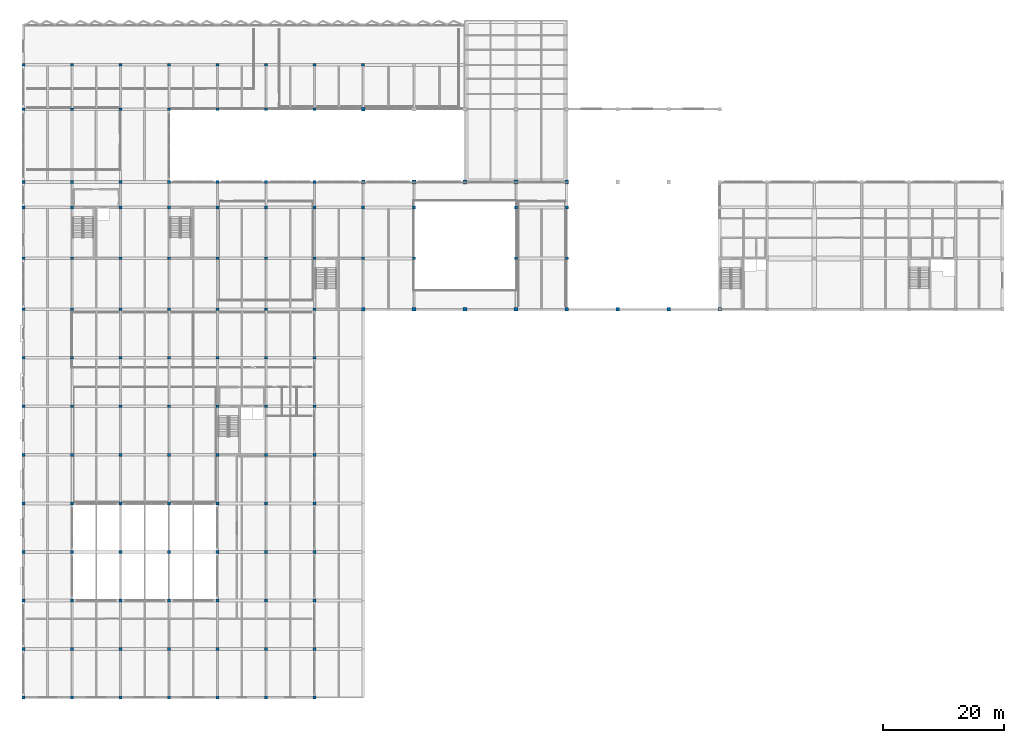
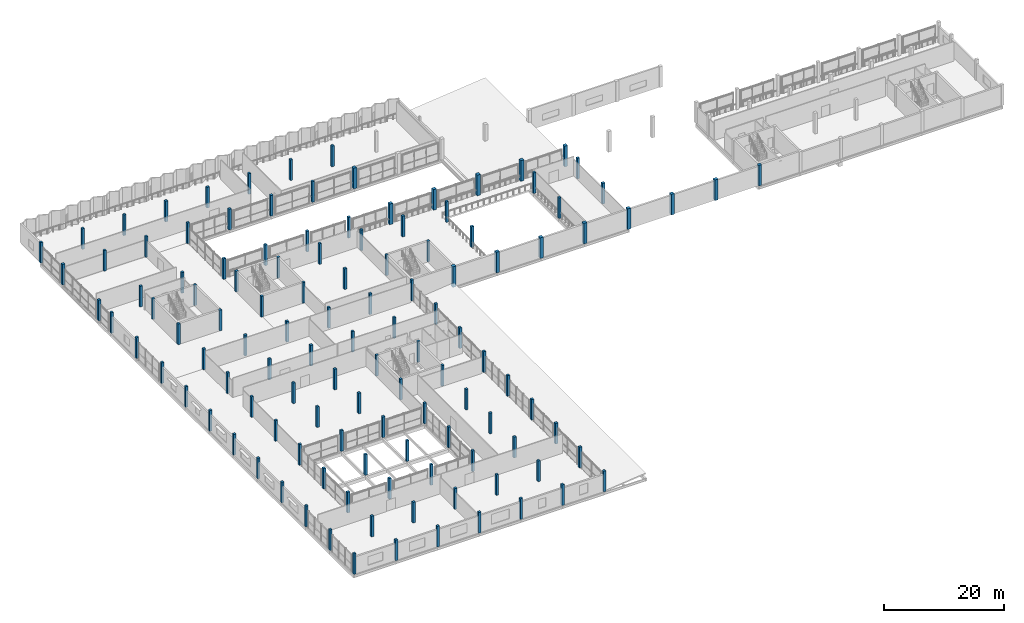
# One storey, part 1 of 53: 121 columns.
"""IFC4 building model written with IfcOpenShell, lengths in metres."""

from ifc_helpers import new_model, si_unit, direction, frame, origin, origin_2d, place, context, subcontext, project, spatial, rectangle, extrude, material, material_profile, profile_set, type_object, element, save


model = new_model("IFC4")

# Units and contexts
model_context = context("Model", 3, precision=1e-05, world=origin(), true_north=direction((0.0, 1.0)))
body_context = subcontext(model_context, "Body", "Model", "MODEL_VIEW")
ifc_project = project(units=[si_unit("LENGTHUNIT", "METRE"), si_unit("AREAUNIT", "SQUARE_METRE"), si_unit("VOLUMEUNIT", "CUBIC_METRE"), si_unit("PLANEANGLEUNIT", "RADIAN"), si_unit("MASSUNIT", "GRAM", prefix="KILO")], contexts=[model_context])

# Site, building, storey
site_placement = place(None, origin())
site = spatial("IfcSite", under=ifc_project, at=site_placement, CompositionType="ELEMENT")
building_placement = place(site_placement, origin())
building = spatial("IfcBuilding", under=site, at=building_placement, Name="Vharandega Faculty of Natural Sciences", CompositionType="ELEMENT")
storey_placement = place(building_placement, frame((0.0, 0.0, 10.199951171875)))
storey = spatial("IfcBuildingStorey", under=building, at=storey_placement, Name="L02", CompositionType="ELEMENT", Elevation=10.199951171875)

# Columns
ifc_material_1 = material(Name="Glulam GL32h", Category="wood")
ifc_material_profile_1 = material_profile(ifc_material_1, rectangle(XDim=0.449951171875, YDim=0.449951171875, at=origin_2d()), Name="GL32h 450x450")
ifc_profile_set_1 = profile_set([ifc_material_profile_1], Name="Glulam GL32h")
column_type_1 = type_object("IfcColumnType", Name="Glulam Column 450x450", PredefinedType="COLUMN", material=ifc_profile_set_1)
for number, where, z_axis, x_axis, name in (
    (1, (0.0, 0.0, 0.0), (0.0, 0.0, 1.0), (1.0, 0.0, 0.0), "Column 1/A L02"),
    (2, (0.0, 8.0, 0.0), (0.0, 0.0, 1.0), (1.0, 0.0, 0.0), "Column 1/B L02"),
    (3, (0.0, 16.0, 0.0), (0.0, 0.0, 1.0), (1.0, 0.0, 0.0), "Column 1/C L02"),
    (4, (0.0, 24.0, 0.0), (0.0, 0.0, 1.0), (1.0, 0.0, 0.0), "Column 1/D L02"),
    (5, (0.0, 32.0, 0.0), (0.0, 0.0, 1.0), (1.0, 0.0, 0.0), "Column 1/E L02"),
    (6, (0.0, 40.0, 0.0), (0.0, 0.0, 1.0), (1.0, 0.0, 0.0), "Column 1/F L02"),
    (7, (0.0, 48.0, 0.0), (0.0, 0.0, 1.0), (1.0, 0.0, 0.0), "Column 1/G L02"),
    (8, (0.0, 56.0, 0.0), (0.0, 0.0, 1.0), (1.0, 0.0, 0.0), "Column 1/H L02"),
    (9, (0.0, 64.0, 0.0), (0.0, 0.0, 1.0), (1.0, 0.0, 0.0), "Column 1/J L02"),
    (10, (0.0, 72.39990234375, 0.0), (0.0, 0.0, 1.0), (1.0, 0.0, 0.0), "Column 1/K L02"),
    (11, (0.0, 80.800048828125, 0.0), (0.0, 0.0, 1.0), (1.0, 0.0, 0.0), "Column 1/L L02"),
    (12, (0.0, 85.0, 0.0), (0.0, 0.0, 1.0), (1.0, 0.0, 0.0), "Column 1/M L02"),
    (13, (0.0, 97.0, 0.0), (0.0, 0.0, 1.0), (1.0, 0.0, 0.0), "Column 1/N L02"),
    (14, (0.0, 104.300048828125, 0.0), (0.0, 0.0, 1.0), (1.0, 0.0, 0.0), "Column 1/P L02"),
    (15, (81.199951171875, 72.39990234375, 0.0), (0.0, 0.0, 1.0), (1.0, 0.0, 0.0), "Column 11/K L02"),
    (16, (81.199951171875, 80.800048828125, 0.0), (0.0, 0.0, 1.0), (1.0, 0.0, 0.0), "Column 11/L L02"),
    (17, (89.60009765625, 72.39990234375, 0.0), (0.0, 0.0, 1.0), (1.0, 0.0, 0.0), "Column 12/K L02"),
    (18, (89.60009765625, 80.800048828125, 0.0), (0.0, 0.0, 1.0), (1.0, 0.0, 0.0), "Column 12/L L02"),
    (19, (8.0, 0.0, 0.0), (0.0, 0.0, 1.0), (1.0, 0.0, 0.0), "Column 2/A L02"),
    (20, (8.0, 8.0, 0.0), (0.0, 0.0, 1.0), (1.0, 0.0, 0.0), "Column 2/B L02"),
    (21, (8.0, 16.0, 0.0), (0.0, 0.0, 1.0), (1.0, 0.0, 0.0), "Column 2/C L02"),
    (22, (8.0, 24.0, 0.0), (0.0, 0.0, 1.0), (1.0, 0.0, 0.0), "Column 2/D L02"),
    (23, (8.0, 32.0, 0.0), (0.0, 0.0, 1.0), (1.0, 0.0, 0.0), "Column 2/E L02"),
    (24, (8.0, 40.0, 0.0), (0.0, 0.0, 1.0), (1.0, 0.0, 0.0), "Column 2/F L02"),
    (25, (8.0, 48.0, 0.0), (0.0, 0.0, 1.0), (1.0, 0.0, 0.0), "Column 2/G L02"),
    (26, (8.0, 56.0, 0.0), (0.0, 0.0, 1.0), (1.0, 0.0, 0.0), "Column 2/H L02"),
    (27, (8.0, 64.0, 0.0), (0.0, 0.0, 1.0), (1.0, 0.0, 0.0), "Column 2/J L02"),
    (28, (8.0, 72.39990234375, 0.0), (0.0, 0.0, 1.0), (1.0, 0.0, 0.0), "Column 2/K L02"),
    (29, (8.0, 80.800048828125, 0.0), (0.0, 0.0, 1.0), (1.0, 0.0, 0.0), "Column 2/L L02"),
    (30, (8.0, 85.0, 0.0), (0.0, 0.0, 1.0), (1.0, 0.0, 0.0), "Column 2/M L02"),
    (31, (8.0, 97.0, 0.0), (0.0, 0.0, 1.0), (1.0, 0.0, 0.0), "Column 2/N L02"),
    (32, (8.0, 104.300048828125, 0.0), (0.0, 0.0, 1.0), (1.0, 0.0, 0.0), "Column 2/P L02"),
    (33, (16.0, 0.0, 0.0), (0.0, 0.0, 1.0), (1.0, 0.0, 0.0), "Column 3/A L02"),
    (34, (16.0, 8.0, 0.0), (0.0, 0.0, 1.0), (1.0, 0.0, 0.0), "Column 3/B L02"),
    (35, (16.0, 16.0, 0.0), (0.0, 0.0, 1.0), (1.0, 0.0, 0.0), "Column 3/C L02"),
    (36, (16.0, 24.0, 0.0), (0.0, 0.0, 1.0), (1.0, 0.0, 0.0), "Column 3/D L02"),
    (37, (16.0, 32.0, 0.0), (0.0, 0.0, 1.0), (1.0, 0.0, 0.0), "Column 3/E L02"),
    (38, (16.0, 40.0, 0.0), (0.0, 0.0, 1.0), (1.0, 0.0, 0.0), "Column 3/F L02"),
    (39, (16.0, 48.0, 0.0), (0.0, 0.0, 1.0), (1.0, 0.0, 0.0), "Column 3/G L02"),
    (40, (16.0, 56.0, 0.0), (0.0, 0.0, 1.0), (1.0, 0.0, 0.0), "Column 3/H L02"),
    (41, (16.0, 64.0, 0.0), (0.0, 0.0, 1.0), (1.0, 0.0, 0.0), "Column 3/J L02"),
    (42, (16.0, 72.39990234375, 0.0), (0.0, 0.0, 1.0), (1.0, 0.0, 0.0), "Column 3/K L02"),
    (43, (16.0, 80.800048828125, 0.0), (0.0, 0.0, 1.0), (1.0, 0.0, 0.0), "Column 3/L L02"),
    (44, (16.0, 85.0, 0.0), (0.0, 0.0, 1.0), (1.0, 0.0, 0.0), "Column 3/M L02"),
    (45, (16.0, 97.0, 0.0), (0.0, 0.0, 1.0), (1.0, 0.0, 0.0), "Column 3/N L02"),
    (46, (16.0, 104.300048828125, 0.0), (0.0, 0.0, 1.0), (1.0, 0.0, 0.0), "Column 3/P L02"),
    (47, (24.0, 0.0, 0.0), (0.0, 0.0, 1.0), (1.0, 0.0, 0.0), "Column 4/A L02"),
    (48, (24.0, 8.0, 0.0), (0.0, 0.0, 1.0), (1.0, 0.0, 0.0), "Column 4/B L02"),
    (49, (24.0, 16.0, 0.0), (0.0, 0.0, 1.0), (1.0, 0.0, 0.0), "Column 4/C L02"),
    (50, (24.0, 24.0, 0.0), (0.0, 0.0, 1.0), (1.0, 0.0, 0.0), "Column 4/D L02"),
    (51, (24.0, 32.0, 0.0), (0.0, 0.0, 1.0), (1.0, 0.0, 0.0), "Column 4/E L02"),
    (52, (24.0, 40.0, 0.0), (0.0, 0.0, 1.0), (1.0, 0.0, 0.0), "Column 4/F L02"),
    (53, (24.0, 48.0, 0.0), (0.0, 0.0, 1.0), (1.0, 0.0, 0.0), "Column 4/G L02"),
    (54, (24.0, 56.0, 0.0), (0.0, 0.0, 1.0), (1.0, 0.0, 0.0), "Column 4/H L02"),
    (55, (24.0, 64.0, 0.0), (0.0, 0.0, 1.0), (1.0, 0.0, 0.0), "Column 4/J L02"),
    (56, (24.0, 72.39990234375, 0.0), (0.0, 0.0, 1.0), (1.0, 0.0, 0.0), "Column 4/K L02"),
    (57, (24.0, 80.800048828125, 0.0), (0.0, 0.0, 1.0), (1.0, 0.0, 0.0), "Column 4/L L02"),
    (58, (24.0, 85.0, 0.0), (0.0, 0.0, 1.0), (1.0, 0.0, 0.0), "Column 4/M L02"),
    (59, (24.0, 97.0, 0.0), (0.0, 0.0, 1.0), (1.0, 0.0, 0.0), "Column 4/N L02"),
    (60, (24.0, 104.300048828125, 0.0), (0.0, 0.0, 1.0), (1.0, 0.0, 0.0), "Column 4/P L02"),
    (61, (32.0, 0.0, 0.0), (0.0, 0.0, 1.0), (1.0, 0.0, 0.0), "Column 5/A L02"),
    (62, (32.0, 8.0, 0.0), (0.0, 0.0, 1.0), (1.0, 0.0, 0.0), "Column 5/B L02"),
    (63, (32.0, 16.0, 0.0), (0.0, 0.0, 1.0), (1.0, 0.0, 0.0), "Column 5/C L02"),
    (64, (32.0, 24.0, 0.0), (0.0, 0.0, 1.0), (1.0, 0.0, 0.0), "Column 5/D L02"),
    (65, (32.0, 32.0, 0.0), (0.0, 0.0, 1.0), (1.0, 0.0, 0.0), "Column 5/E L02"),
    (66, (32.0, 40.0, 0.0), (0.0, 0.0, 1.0), (1.0, 0.0, 0.0), "Column 5/F L02"),
    (67, (32.0, 48.0, 0.0), (0.0, 0.0, 1.0), (1.0, 0.0, 0.0), "Column 5/G L02"),
    (68, (32.0, 56.0, 0.0), (0.0, 0.0, 1.0), (1.0, 0.0, 0.0), "Column 5/H L02"),
    (69, (32.0, 64.0, 0.0), (0.0, 0.0, 1.0), (1.0, 0.0, 0.0), "Column 5/J L02"),
    (70, (32.0, 72.39990234375, 0.0), (0.0, 0.0, 1.0), (1.0, 0.0, 0.0), "Column 5/K L02"),
    (71, (32.0, 80.800048828125, 0.0), (0.0, 0.0, 1.0), (1.0, 0.0, 0.0), "Column 5/L L02"),
    (72, (32.0, 85.0, 0.0), (0.0, 0.0, 1.0), (1.0, 0.0, 0.0), "Column 5/M L02"),
    (73, (32.0, 97.0, 0.0), (0.0, 0.0, 1.0), (1.0, 0.0, 0.0), "Column 5/N L02"),
    (74, (32.0, 104.300048828125, 0.0), (0.0, 0.0, 1.0), (1.0, 0.0, 0.0), "Column 5/P L02"),
    (75, (40.0, 0.0, 0.0), (0.0, 0.0, 1.0), (1.0, 0.0, 0.0), "Column 6/A L02"),
    (76, (40.0, 8.0, 0.0), (0.0, 0.0, 1.0), (1.0, 0.0, 0.0), "Column 6/B L02"),
    (77, (40.0, 16.0, 0.0), (0.0, 0.0, 1.0), (1.0, 0.0, 0.0), "Column 6/C L02"),
    (78, (40.0, 24.0, 0.0), (0.0, 0.0, 1.0), (1.0, 0.0, 0.0), "Column 6/D L02"),
    (79, (40.0, 32.0, 0.0), (0.0, 0.0, 1.0), (1.0, 0.0, 0.0), "Column 6/E L02"),
    (80, (40.0, 40.0, 0.0), (0.0, 0.0, 1.0), (1.0, 0.0, 0.0), "Column 6/F L02"),
    (81, (40.0, 48.0, 0.0), (0.0, 0.0, 1.0), (1.0, 0.0, 0.0), "Column 6/G L02"),
    (82, (40.0, 56.0, 0.0), (0.0, 0.0, 1.0), (1.0, 0.0, 0.0), "Column 6/H L02"),
    (83, (40.0, 64.0, 0.0), (0.0, 0.0, 1.0), (1.0, 0.0, 0.0), "Column 6/J L02"),
    (84, (40.0, 72.39990234375, 0.0), (0.0, 0.0, 1.0), (1.0, 0.0, 0.0), "Column 6/K L02"),
    (85, (40.0, 80.800048828125, 0.0), (0.0, 0.0, 1.0), (1.0, 0.0, 0.0), "Column 6/L L02"),
    (86, (40.0, 85.0, 0.0), (0.0, 0.0, 1.0), (1.0, 0.0, 0.0), "Column 6/M L02"),
    (87, (40.0, 97.0, 0.0), (0.0, 0.0, 1.0), (1.0, 0.0, 0.0), "Column 6/N L02"),
    (88, (40.0, 104.300048828125, 0.0), (0.0, 0.0, 1.0), (1.0, 0.0, 0.0), "Column 6/P L02"),
    (89, (48.0, 0.0, 0.0), (0.0, 0.0, 1.0), (1.0, 0.0, 0.0), "Column 7/A L02"),
    (90, (48.0, 8.0, 0.0), (0.0, 0.0, 1.0), (1.0, 0.0, 0.0), "Column 7/B L02"),
    (91, (48.0, 16.0, 0.0), (0.0, 0.0, 1.0), (1.0, 0.0, 0.0), "Column 7/C L02"),
    (92, (48.0, 24.0, 0.0), (0.0, 0.0, 1.0), (1.0, 0.0, 0.0), "Column 7/D L02"),
    (93, (48.0, 32.0, 0.0), (0.0, 0.0, 1.0), (1.0, 0.0, 0.0), "Column 7/E L02"),
    (94, (48.0, 40.0, 0.0), (0.0, 0.0, 1.0), (1.0, 0.0, 0.0), "Column 7/F L02"),
    (95, (48.0, 48.0, 0.0), (0.0, 0.0, 1.0), (1.0, 0.0, 0.0), "Column 7/G L02"),
    (96, (48.0, 56.0, 0.0), (0.0, 0.0, 1.0), (1.0, 0.0, 0.0), "Column 7/H L02"),
    (97, (48.0, 64.0, 0.0), (0.0, 0.0, 1.0), (1.0, 0.0, 0.0), "Column 7/J L02"),
    (98, (48.0, 72.39990234375, 0.0), (0.0, 0.0, 1.0), (1.0, 0.0, 0.0), "Column 7/K L02"),
    (99, (48.0, 80.800048828125, 0.0), (0.0, 0.0, 1.0), (1.0, 0.0, 0.0), "Column 7/L L02"),
    (100, (48.0, 85.0, 0.0), (0.0, 0.0, 1.0), (1.0, 0.0, 0.0), "Column 7/M L02"),
    (101, (48.0, 97.0, 0.0), (0.0, 0.0, 1.0), (1.0, 0.0, 0.0), "Column 7/N L02"),
    (102, (48.0, 104.300048828125, 0.0), (0.0, 0.0, 1.0), (1.0, 0.0, 0.0), "Column 7/P L02"),
    (103, (56.0, 72.39990234375, 0.0), (0.0, 0.0, 1.0), (1.0, 0.0, 0.0), "Column 8/K L02"),
    (104, (56.0, 80.800048828125, 0.0), (0.0, 0.0, 1.0), (1.0, 0.0, 0.0), "Column 8/L L02"),
    (105, (56.0, 104.300048828125, 0.0), (0.0, 0.0, 1.0), (1.0, 0.0, 0.0), "Column 8/P L02"),
    (106, (64.39990234375, 72.39990234375, 0.0), (0.0, 0.0, 1.0), (1.0, 0.0, 0.0), "Column 9/K L02"),
    (107, (64.39990234375, 80.800048828125, 0.0), (0.0, 0.0, 1.0), (1.0, 0.0, 0.0), "Column 9/L L02"),
):
    element("IfcColumn", number, at=place(storey_placement, frame(where, z_axis=z_axis, x_axis=x_axis)), inside=storey, type_object=column_type_1, Name=name, PredefinedType="COLUMN", context=body_context, shape_type="SweptSolid", body=[
        extrude(rectangle(XDim=0.449951171875, YDim=0.449951171875, at=origin_2d()), origin(), (0.0, 0.0, 1.0), 4.199951171875),
    ])
ifc_material_2 = material(Name="Glulam GL32h", Category="wood")
ifc_material_profile_2 = material_profile(ifc_material_2, rectangle(XDim=0.52001953125, YDim=0.52001953125, at=origin_2d()), Name="GL32h 520x520")
ifc_profile_set_2 = profile_set([ifc_material_profile_2], Name="Glulam GL32h")
column_type_2 = type_object("IfcColumnType", Name="Glulam Column 520x520", PredefinedType="COLUMN", material=ifc_profile_set_2)
column_placement = place(storey_placement, frame((114.800048828125, 64.0, 0.0), z_axis=(0.0, 0.0, 1.0), x_axis=(1.0, 0.0, 0.0)))
element("IfcColumn", 108, at=column_placement, inside=storey, type_object=column_type_2, Name="Column 15/J L02", PredefinedType="COLUMN", context=body_context, shape_type="SweptSolid", body=[
    extrude(rectangle(XDim=0.52001953125, YDim=0.52001953125, at=origin_2d()), origin(), (0.0, 0.0, 1.0), 4.199951171875),
])
ifc_material_3 = material(Name="Concrete C40/50", Category="concrete")
ifc_material_profile_3 = material_profile(ifc_material_3, rectangle(XDim=0.60009765625, YDim=0.60009765625, at=origin_2d()), Name="RC 600x600")
ifc_profile_set_3 = profile_set([ifc_material_profile_3], Name="Concrete C40/50")
column_type_3 = type_object("IfcColumnType", Name="RC Column 600x600", PredefinedType="COLUMN", material=ifc_profile_set_3)
for number, where, z_axis, x_axis, name in (
    (109, (72.800048828125, 64.0, 0.0), (0.0, 0.0, 1.0), (1.0, 0.0, 0.0), "Column 10/J L02"),
    (110, (72.800048828125, 85.0, 0.0), (0.0, 0.0, 1.0), (1.0, 0.0, 0.0), "Column 10/M L02"),
    (111, (81.199951171875, 64.0, 0.0), (0.0, 0.0, 1.0), (1.0, 0.0, 0.0), "Column 11/J L02"),
    (112, (81.199951171875, 85.0, 0.0), (0.0, 0.0, 1.0), (1.0, 0.0, 0.0), "Column 11/M L02"),
    (113, (89.60009765625, 64.0, 0.0), (0.0, 0.0, 1.0), (1.0, 0.0, 0.0), "Column 12/J L02"),
    (114, (89.60009765625, 85.0, 0.0), (0.0, 0.0, 1.0), (1.0, 0.0, 0.0), "Column 12/M L02"),
    (115, (98.0, 64.0, 0.0), (0.0, 0.0, 1.0), (1.0, 0.0, 0.0), "Column 13/J L02"),
    (116, (106.39990234375, 64.0, 0.0), (0.0, 0.0, 1.0), (1.0, 0.0, 0.0), "Column 14/J L02"),
    (117, (56.0, 64.0, 0.0), (0.0, 0.0, 1.0), (1.0, 0.0, 0.0), "Column 8/J L02"),
    (118, (56.0, 85.0, 0.0), (0.0, 0.0, 1.0), (1.0, 0.0, 0.0), "Column 8/M L02"),
    (119, (56.0, 97.0, 0.0), (0.0, 0.0, 1.0), (1.0, 0.0, 0.0), "Column 8/N L02"),
    (120, (64.39990234375, 64.0, 0.0), (0.0, 0.0, 1.0), (1.0, 0.0, 0.0), "Column 9/J L02"),
    (121, (64.39990234375, 85.0, 0.0), (0.0, 0.0, 1.0), (1.0, 0.0, 0.0), "Column 9/M L02"),
):
    element("IfcColumn", number, at=place(storey_placement, frame(where, z_axis=z_axis, x_axis=x_axis)), inside=storey, type_object=column_type_3, Name=name, PredefinedType="COLUMN", context=body_context, shape_type="SweptSolid", body=[
        extrude(rectangle(XDim=0.60009765625, YDim=0.60009765625, at=origin_2d()), origin(), (0.0, 0.0, 1.0), 4.199951171875),
    ])

save(model, "model.ifc")
